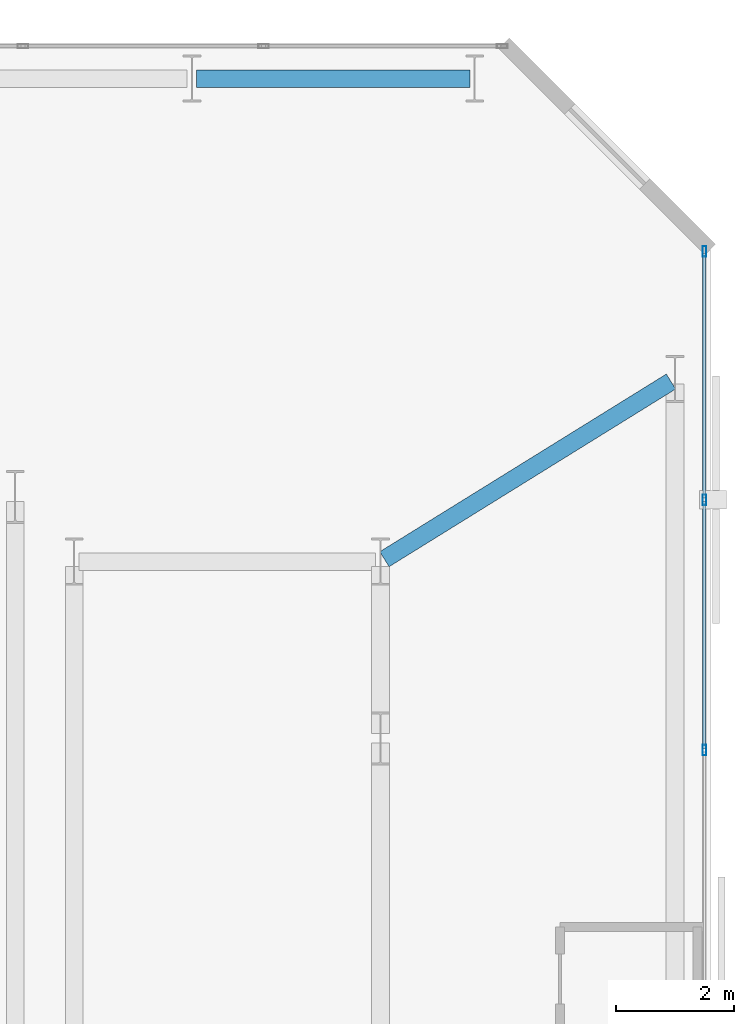
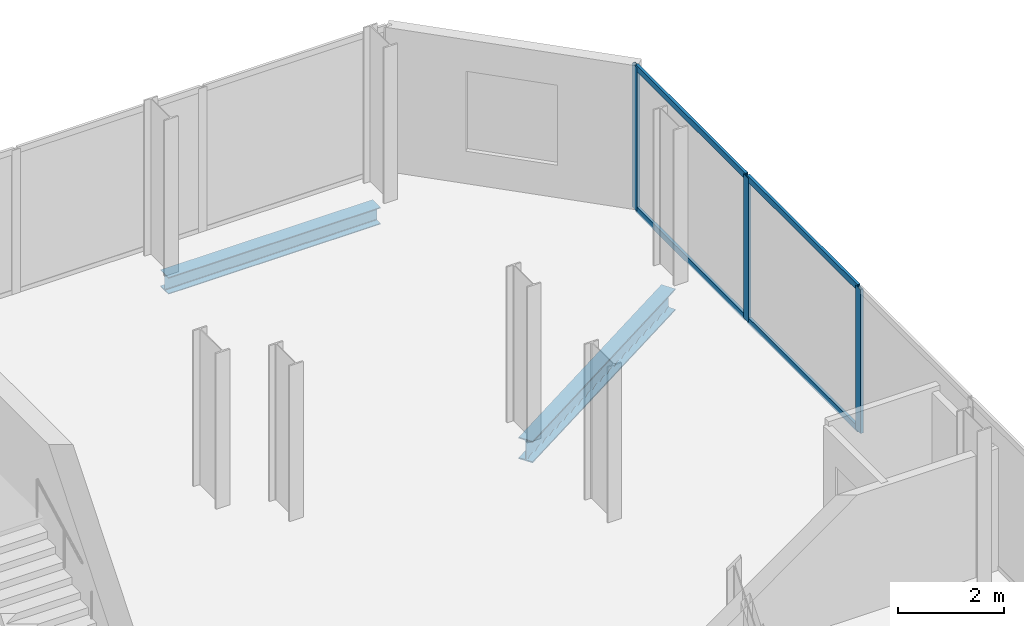
# One storey, part 25 of 33: 7 members, 2 beams, 1 element without a shape of its own.
"""IFC4 building model written with IfcOpenShell, lengths in metres."""

from ifc_helpers import new_model, si_unit, direction, frame, origin, origin_2d, place, context, subcontext, project, spatial, hollow_rectangle, i_section, extrude, material, layer, layer_set, material_profile, profile_set, type_object, element, aggregate, save


model = new_model("IFC4")

# Units and contexts
model_context = context("Model", 3, precision=1e-05, world=origin(), true_north=direction((0.0, 1.0)))
body_context = subcontext(model_context, "Body", "Model", "MODEL_VIEW")
ifc_project = project(units=[si_unit("LENGTHUNIT", "METRE"), si_unit("AREAUNIT", "SQUARE_METRE"), si_unit("VOLUMEUNIT", "CUBIC_METRE"), si_unit("PLANEANGLEUNIT", "RADIAN"), si_unit("MASSUNIT", "GRAM", prefix="KILO")], contexts=[model_context])

# Site, building, storey
site_placement = place(None, origin())
site = spatial("IfcSite", under=ifc_project, at=site_placement, CompositionType="ELEMENT")
building_placement = place(site_placement, origin())
building = spatial("IfcBuilding", under=site, at=building_placement, Name="Catumbela Crestline Tower", CompositionType="ELEMENT")
storey_placement = place(building_placement, frame((0.0, 0.0, 51.0)))
storey = spatial("IfcBuildingStorey", under=building, at=storey_placement, Name="L12", CompositionType="ELEMENT", Elevation=51.0)

# Beam
ifc_material_1 = material(Name="Structural steel S355J2", Category="steel")
ifc_material_profile_1 = material_profile(ifc_material_1, i_section(OverallWidth=0.3, OverallDepth=0.5, WebThickness=0.0145, FlangeThickness=0.028, FilletRadius=0.027, at=origin_2d()), Name="HEB 500")
ifc_profile_set_1 = profile_set([ifc_material_profile_1], Name="Structural steel S355J2")
beam_type_1 = type_object("IfcBeamType", Name="BG-HEB500", PredefinedType="BEAM", material=ifc_profile_set_1)
beam_1_placement = place(storey_placement, frame((50.468, 39.2422, -0.51), z_axis=(0.849908952007, 0.526929571479, 0.0), x_axis=(-0.526929571479, 0.849908952007, 0.0)))
element("IfcBeam", 1, at=beam_1_placement, inside=storey, type_object=beam_type_1, Name="L12 Beam BM-L12-N18", PredefinedType="BEAM", context=body_context, shape_type="SweptSolid", body=[
    extrude(i_section(OverallWidth=0.3, OverallDepth=0.5, WebThickness=0.0145, FlangeThickness=0.028, FilletRadius=0.027, at=origin_2d()), origin(), (0.0, 0.0, 1.0), 5.723),
])

# Curtain wall, members
ifc_material_2 = material(Name="Aluminium alloy AW-6060-T66", Category="aluminium")
ifc_layer = layer(ifc_material_2, 0.18, Name="Aluminium alloy AW-6060-T66")
ifc_layer_set = layer_set([ifc_layer], Name="Aluminium alloy AW-6060-T66")
curtain_wall_type = type_object("IfcCurtainWallType", Name="CWU-Z1", PredefinedType="USERDEFINED", material=ifc_layer_set)
curtain_wall_placement = place(storey_placement, origin())
curtain_wall = element("IfcCurtainWall", 2, at=curtain_wall_placement, inside=storey, type_object=curtain_wall_type, Name="L12 Unitised Curtain Wall CW-L12-E5S1", ObjectType="UNITISED", PredefinedType="USERDEFINED")
ifc_material_profile_2 = material_profile(ifc_material_2, hollow_rectangle(XDim=0.065, YDim=0.18, WallThickness=0.004, at=origin_2d()), Name="ALU 180x65x4")
ifc_profile_set_2 = profile_set([ifc_material_profile_2], Name="Aluminium alloy AW-6060-T66")
member_type_1 = type_object("IfcMemberType", Name="MUL-180X65", PredefinedType="MULLION", material=ifc_profile_set_2)
member_1_placement = place(storey_placement, frame((55.9, 36.0, 0.0), z_axis=(0.0, 0.0, 1.0), x_axis=(-1.0, 0.0, 0.0)))
member_1 = element("IfcMember", 3, at=member_1_placement, type_object=member_type_1, Name="CWU-Z1 mullion 3", PredefinedType="MULLION", context=body_context, shape_type="SweptSolid", body=[
    extrude(hollow_rectangle(XDim=0.065, YDim=0.18, WallThickness=0.004, at=origin_2d()), origin(), (0.0, 0.0, 1.0), 3.33),
])
member_2_placement = place(storey_placement, frame((55.9, 40.25, 0.0), z_axis=(0.0, 0.0, 1.0), x_axis=(-1.0, 0.0, 0.0)))
member_2 = element("IfcMember", 4, at=member_2_placement, type_object=member_type_1, Name="CWU-Z1 mullion 4", PredefinedType="MULLION", context=body_context, shape_type="SweptSolid", body=[
    extrude(hollow_rectangle(XDim=0.065, YDim=0.18, WallThickness=0.004, at=origin_2d()), origin(), (0.0, 0.0, 1.0), 3.33),
])
member_3_placement = place(storey_placement, frame((55.9, 44.4675, 0.0), z_axis=(0.0, 0.0, 1.0), x_axis=(-1.0, 0.0, 0.0)))
member_3 = element("IfcMember", 5, at=member_3_placement, type_object=member_type_1, Name="CWU-Z1 mullion 5", PredefinedType="MULLION", context=body_context, shape_type="SweptSolid", body=[
    extrude(hollow_rectangle(XDim=0.065, YDim=0.18, WallThickness=0.004, at=origin_2d()), origin(), (0.0, 0.0, 1.0), 3.33),
])

# Beam
ifc_material_profile_3 = material_profile(ifc_material_1, i_section(OverallWidth=0.3, OverallDepth=0.39, WebThickness=0.011, FlangeThickness=0.019, FilletRadius=0.027, at=origin_2d()), Name="HEA 400")
ifc_profile_set_3 = profile_set([ifc_material_profile_3], Name="Structural steel S355J2")
beam_type_2 = type_object("IfcBeamType", Name="BS-HEA400", PredefinedType="SPANDREL", material=ifc_profile_set_3)
beam_2_placement = place(storey_placement, frame((47.28, 47.4, -0.455), z_axis=(1.0, 0.0, 0.0), x_axis=(0.0, 1.0, 0.0)))
element("IfcBeam", 6, at=beam_2_placement, inside=storey, type_object=beam_type_2, Name="L12 Spandrel SP-L12-NF24", PredefinedType="SPANDREL", context=body_context, shape_type="SweptSolid", body=[
    extrude(i_section(OverallWidth=0.3, OverallDepth=0.39, WebThickness=0.011, FlangeThickness=0.019, FilletRadius=0.027, at=origin_2d()), origin(), (0.0, 0.0, 1.0), 4.64),
])

# Member
ifc_material_profile_4 = material_profile(ifc_material_2, hollow_rectangle(XDim=0.06, YDim=0.14, WallThickness=0.004, at=origin_2d()), Name="ALU 140x60x4")
ifc_profile_set_4 = profile_set([ifc_material_profile_4], Name="Aluminium alloy AW-6060-T66")
member_type_2 = type_object("IfcMemberType", Name="TRN-140X60", PredefinedType="USERDEFINED", material=ifc_profile_set_4)
member_4_placement = place(storey_placement, frame((55.9, 36.0325, 0.03), z_axis=(0.0, 1.0, 0.0), x_axis=(-1.0, 0.0, 0.0)))
member_4 = element("IfcMember", 7, at=member_4_placement, type_object=member_type_2, Name="CWU-Z1 transom 3.1", ObjectType="TRANSOM", PredefinedType="USERDEFINED", context=body_context, shape_type="SweptSolid", body=[
    extrude(hollow_rectangle(XDim=0.06, YDim=0.14, WallThickness=0.004, at=origin_2d()), origin(), (0.0, 0.0, 1.0), 4.185),
])

member_5_placement = place(storey_placement, frame((55.9, 36.0325, 3.3), z_axis=(0.0, 1.0, 0.0), x_axis=(-1.0, 0.0, 0.0)))
member_5 = element("IfcMember", 8, at=member_5_placement, type_object=member_type_2, Name="CWU-Z1 transom 3.2", ObjectType="TRANSOM", PredefinedType="USERDEFINED", context=body_context, shape_type="SweptSolid", body=[
    extrude(hollow_rectangle(XDim=0.06, YDim=0.14, WallThickness=0.004, at=origin_2d()), origin(), (0.0, 0.0, 1.0), 4.185),
])

member_6_placement = place(storey_placement, frame((55.9, 40.2825, 0.03), z_axis=(0.0, 1.0, 0.0), x_axis=(-1.0, 0.0, 0.0)))
member_6 = element("IfcMember", 9, at=member_6_placement, type_object=member_type_2, Name="CWU-Z1 transom 4.1", ObjectType="TRANSOM", PredefinedType="USERDEFINED", context=body_context, shape_type="SweptSolid", body=[
    extrude(hollow_rectangle(XDim=0.06, YDim=0.14, WallThickness=0.004, at=origin_2d()), origin(), (0.0, 0.0, 1.0), 4.1525),
])

member_7_placement = place(storey_placement, frame((55.9, 40.2825, 3.3), z_axis=(0.0, 1.0, 0.0), x_axis=(-1.0, 0.0, 0.0)))
member_7 = element("IfcMember", 10, at=member_7_placement, type_object=member_type_2, Name="CWU-Z1 transom 4.2", ObjectType="TRANSOM", PredefinedType="USERDEFINED", context=body_context, shape_type="SweptSolid", body=[
    extrude(hollow_rectangle(XDim=0.06, YDim=0.14, WallThickness=0.004, at=origin_2d()), origin(), (0.0, 0.0, 1.0), 4.1525),
])

aggregate(curtain_wall, [member_1, member_2, member_3, member_4, member_5, member_6, member_7])

save(model, "model.ifc")
